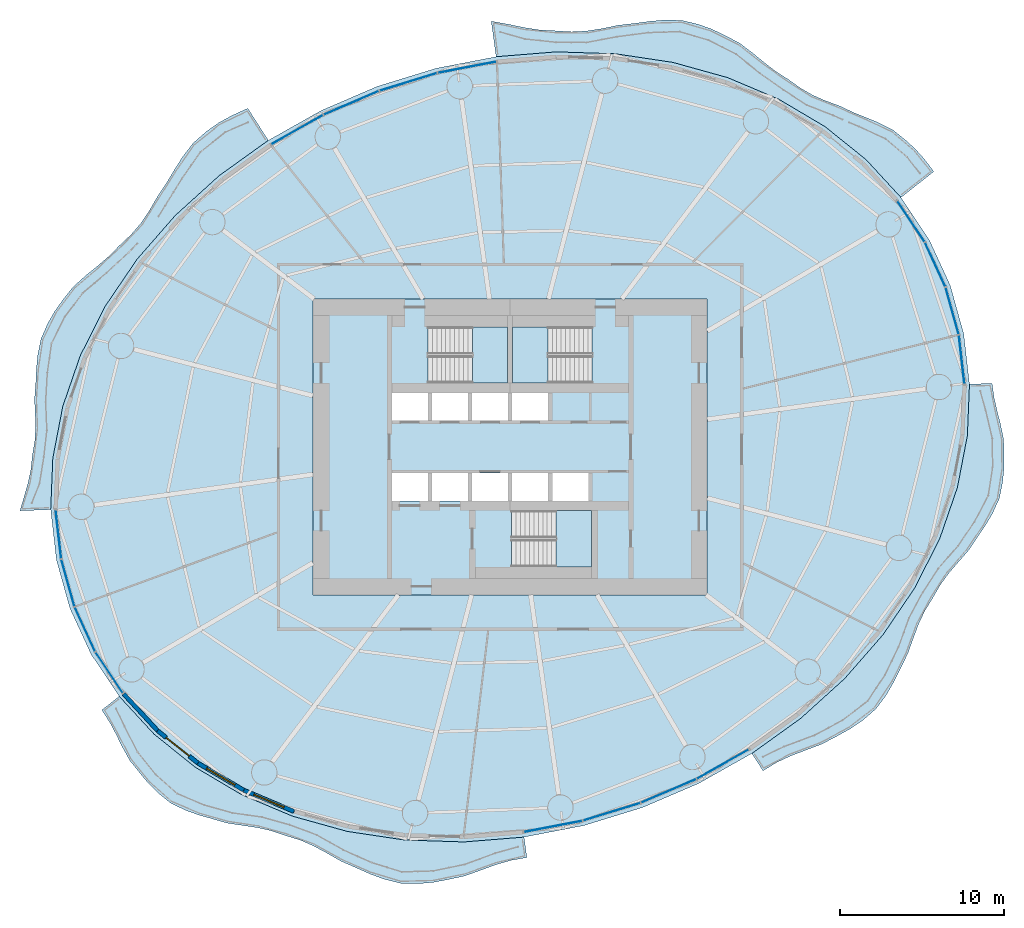
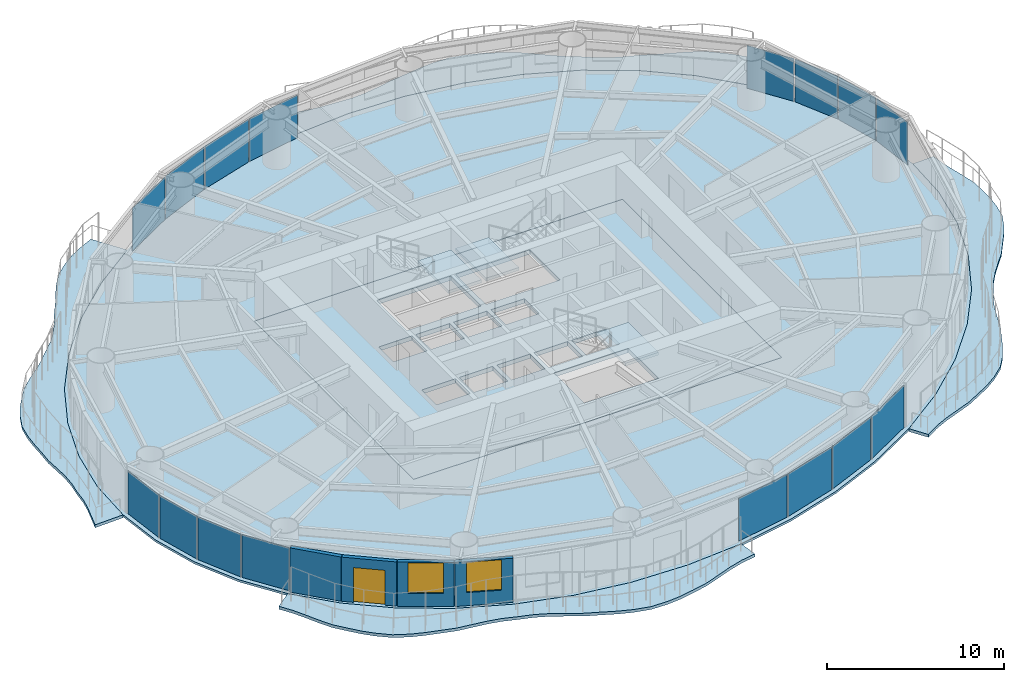
# One storey, part 7 of 16: 16 plates, 9 slabs, 4 walls, 2 windows, 1 door, 3 openings, 19 elements without a shape of their own.
"""IFC4 building model written with IfcOpenShell, lengths in metres."""

from ifc_helpers import new_model, si_unit, direction, frame, frame_2d, origin, origin_2d, place, context, subcontext, project, spatial, polyline, rectangle, outline, extrude, material, layer, layer_set, type_object, element, fill, aggregate, save


model = new_model("IFC4")

# Units and contexts
model_context = context("Model", 3, precision=1e-05, world=origin(), true_north=direction((0.0, 1.0)))
body_context = subcontext(model_context, "Body", "Model", "MODEL_VIEW")
ifc_project = project(units=[si_unit("LENGTHUNIT", "METRE"), si_unit("AREAUNIT", "SQUARE_METRE"), si_unit("VOLUMEUNIT", "CUBIC_METRE"), si_unit("PLANEANGLEUNIT", "RADIAN"), si_unit("MASSUNIT", "GRAM", prefix="KILO")], contexts=[model_context])

# Site, building, storey
site_placement = place(None, origin())
site = spatial("IfcSite", under=ifc_project, at=site_placement, CompositionType="ELEMENT")
building_placement = place(site_placement, origin())
building = spatial("IfcBuilding", under=site, at=building_placement, Name="Vermilion Reach Broadcast Tower", CompositionType="ELEMENT")
storey_placement = place(building_placement, frame((0.0, 0.0, 113.800048828125)))
storey = spatial("IfcBuildingStorey", under=building, at=storey_placement, Name="L26", CompositionType="ELEMENT", Elevation=113.800048828125)

# Slabs
ifc_material_1 = material(Name="Concrete C40/50", Category="concrete")
ifc_layer_1 = layer(ifc_material_1, 0.199951171875)
ifc_layer_set_1 = layer_set([ifc_layer_1], Name="Balcony slab 200")
slab_type_1 = type_object("IfcSlabType", Name="Balcony slab 200", PredefinedType="FLOOR", material=ifc_layer_set_1)
placement_1 = place(storey_placement, frame((0.0, 0.0, -0.199951171875)))
element("IfcSlab", 1, at=placement_1, inside=storey, type_object=slab_type_1, Name="Balcony slab L26 group 1", PredefinedType="FLOOR", context=body_context, shape_type="SweptSolid", body=[
    extrude(outline(polyline([(17.792724609375, 15.183349609375), (15.667724609375, 17.489013671875), (13.172119140625, 19.49560546875), (10.3486328125, 21.16845703125), (7.2451171875, 22.479248046875), (3.9150390625, 23.405517578125), (0.41552734375, 23.93115234375), (-3.19384765625, 24.04736328125), (-6.851318359375, 23.751953125), (-7.146484375, 25.91748046875), (-6.09033203125, 25.72607421875), (-5.154541015625, 25.531982421875), (-4.222412109375, 25.38720703125), (-3.22509765625, 25.331787109375), (-2.251220703125, 25.270263671875), (-1.346435546875, 25.317626953125), (-0.4384765625, 25.460205078125), (0.573486328125, 25.668212890625), (1.588623046875, 25.78564453125), (2.501953125, 25.90966796875), (3.408447265625, 25.98779296875), (4.461181640625, 25.965087890625), (5.45751953125, 25.726318359375), (6.273681640625, 25.435546875), (7.065673828125, 25.05859375), (7.9765625, 24.577392578125), (8.786376953125, 23.9638671875), (9.464111328125, 23.403564453125), (10.15380859375, 22.8720703125), (10.950439453125, 22.361572265625), (11.69482421875, 21.8310546875), (12.406494140625, 21.42236328125), (13.162109375, 21.088134765625), (14.0498046875, 20.76171875), (14.895751953125, 20.361572265625), (15.671142578125, 20.048583984375), (16.443115234375, 19.73095703125), (17.335205078125, 19.27294921875), (18.093505859375, 18.658447265625), (18.67529296875, 18.12841796875), (19.19775390625, 17.5439453125), (19.79541015625, 16.760986328125), (17.792724609375, 15.183349609375)])), origin(), (0.0, 0.0, 1.0), 0.199951171875),
])
element("IfcSlab", 2, at=placement_1, inside=storey, type_object=slab_type_1, Name="Balcony slab L26 group 2", PredefinedType="FLOOR", context=body_context, shape_type="SweptSolid", body=[
    extrude(outline(polyline([(-20.7197265625, 18.660400390625), (-23.699462890625, 16.51904296875), (-26.376220703125, 14.094970703125), (-28.704345703125, 11.4296875), (-30.64404296875, 8.56884765625), (-32.162109375, 5.561279296875), (-33.232421875, 2.458740234375), (-33.8369140625, -0.685791015625), (-33.96484375, -3.81884765625), (-35.833984375, -3.886962890625), (-35.568115234375, -2.96875), (-35.344482421875, -2.193359375), (-35.179443359375, -1.41552734375), (-35.084228515625, -0.541259765625), (-34.93798828125, 0.3408203125), (-34.889404296875, 1.146728515625), (-34.908447265625, 1.965576171875), (-34.95068359375, 2.917724609375), (-34.876953125, 3.89404296875), (-34.83544921875, 4.747802734375), (-34.7568359375, 5.588623046875), (-34.559326171875, 6.574462890625), (-34.14794921875, 7.50732421875), (-33.732421875, 8.240966796875), (-33.23828125, 8.934814453125), (-32.614990234375, 9.727783203125), (-31.840576171875, 10.424072265625), (-31.138916015625, 10.992431640625), (-30.45849609375, 11.574951171875), (-29.77978515625, 12.259033203125), (-29.0712890625, 12.925048828125), (-28.493896484375, 13.59521484375), (-27.9921875, 14.331787109375), (-27.494384765625, 15.193115234375), (-26.927734375, 16.048828125), (-26.4423828125, 16.85791015625), (-25.9423828125, 17.65087890625), (-25.2958984375, 18.4951171875), (-24.49462890625, 19.197265625), (-23.74609375, 19.7275390625), (-22.9345703125, 20.170166015625), (-21.96728515625, 20.6142578125), (-20.7197265625, 18.660400390625)])), origin(), (0.0, 0.0, 1.0), 0.199951171875),
])
element("IfcSlab", 3, at=placement_1, inside=storey, type_object=slab_type_1, Name="Balcony slab L26 group 3", PredefinedType="FLOOR", context=body_context, shape_type="SweptSolid", body=[
    extrude(outline(polyline([(-29.792724609375, -15.183349609375), (-27.667724609375, -17.489013671875), (-25.172119140625, -19.49560546875), (-22.3486328125, -21.16845703125), (-19.2451171875, -22.479248046875), (-15.9150390625, -23.405517578125), (-12.41552734375, -23.93115234375), (-8.80615234375, -24.04736328125), (-5.148681640625, -23.751953125), (-4.978759765625, -24.9990234375), (-5.954345703125, -25.17041015625), (-6.853759765625, -25.430908203125), (-7.747802734375, -25.756591796875), (-8.756103515625, -26.116943359375), (-9.783203125, -26.340087890625), (-10.69189453125, -26.509521484375), (-11.597900390625, -26.591796875), (-12.65478515625, -26.564453125), (-13.668212890625, -26.31494140625), (-14.515869140625, -26.002197265625), (-15.3544921875, -25.629638671875), (-16.301513671875, -25.216064453125), (-17.176513671875, -24.715576171875), (-17.955810546875, -24.292724609375), (-18.755615234375, -23.94384765625), (-19.658203125, -23.664306640625), (-20.53466796875, -23.36767578125), (-21.369384765625, -23.1796875), (-22.229248046875, -23.050537109375), (-23.223388671875, -22.902587890625), (-24.167724609375, -22.629150390625), (-24.98388671875, -22.39697265625), (-25.77099609375, -22.11572265625), (-26.6806640625, -21.672119140625), (-27.448486328125, -21.049072265625), (-28.017578125, -20.479248046875), (-28.541259765625, -19.85302734375), (-29.158203125, -19.08349609375), (-29.626708984375, -18.22802734375), (-29.985595703125, -17.492919921875), (-30.365234375, -16.77685546875), (-30.853759765625, -16.019287109375), (-29.792724609375, -15.183349609375)])), origin(), (0.0, 0.0, 1.0), 0.199951171875),
])
element("IfcSlab", 4, at=placement_1, inside=storey, type_object=slab_type_1, Name="Balcony slab L26 group 4", PredefinedType="FLOOR", context=body_context, shape_type="SweptSolid", body=[
    extrude(outline(polyline([(8.7197265625, -18.660400390625), (11.699462890625, -16.51904296875), (14.376220703125, -14.094970703125), (16.704345703125, -11.4296875), (18.64404296875, -8.56884765625), (20.162109375, -5.561279296875), (21.232421875, -2.458740234375), (21.8369140625, 0.685791015625), (21.96484375, 3.81884765625), (23.339599609375, 3.868896484375), (23.46875, 2.972900390625), (23.64990234375, 2.180908203125), (23.854248046875, 1.387939453125), (24.047607421875, 0.4296875), (24.06640625, -0.557861328125), (24.060302734375, -1.371826171875), (23.980224609375, -2.171630859375), (23.782470703125, -3.139892578125), (23.36181640625, -4.061279296875), (22.93212890625, -4.781005859375), (22.452880859375, -5.483642578125), (21.908935546875, -6.299560546875), (21.25146484375, -7.0546875), (20.68798828125, -7.713623046875), (20.185302734375, -8.4033203125), (19.723876953125, -9.203857421875), (19.230712890625, -10.010498046875), (18.85888671875, -10.802490234375), (18.547119140625, -11.63525390625), (18.20654296875, -12.588134765625), (17.74951171875, -13.517333984375), (17.344970703125, -14.338623046875), (16.89111328125, -15.116943359375), (16.26708984375, -15.9521484375), (15.466552734375, -16.64404296875), (14.7119140625, -17.155517578125), (13.9013671875, -17.60546875), (12.971923828125, -18.093994140625), (11.97265625, -18.470947265625), (11.0849609375, -18.807861328125), (10.239013671875, -19.202392578125), (9.39453125, -19.717041015625), (8.7197265625, -18.660400390625)])), origin(), (0.0, 0.0, 1.0), 0.199951171875),
])
ifc_material_2 = material(Name="Concrete C40", Category="concrete")
ifc_layer_2 = layer(ifc_material_2, 0.300048828125)
ifc_layer_set_2 = layer_set([ifc_layer_2], Name="Core floor slab 300 mm Concrete C40")
slab_type_2 = type_object("IfcSlabType", Name="Core floor slab 300 mm Concrete C40", PredefinedType="FLOOR", material=ifc_layer_set_2)
slab_5_placement = place(storey_placement, frame((0.0, 0.0, -0.300048828125)))
element("IfcSlab", 5, at=slab_5_placement, inside=storey, type_object=slab_type_2, Name="L26 core floor", PredefinedType="FLOOR", context=body_context, shape_type="SweptSolid", body=[
    extrude(outline(polyline([(-18.0, -9.0), (6.0, -9.0), (6.0, 9.0), (-18.0, 9.0), (-18.0, -9.0)]), holes=[polyline([(-13.199951171875, 1.60009765625), (-11.00830078125, 1.60009765625), (-11.00830078125, 3.280029296875), (-13.199951171875, 3.280029296875), (-13.199951171875, 1.60009765625)]), polyline([(-10.75830078125, 1.60009765625), (-8.566650390625, 1.60009765625), (-8.566650390625, 3.280029296875), (-10.75830078125, 3.280029296875), (-10.75830078125, 1.60009765625)]), polyline([(-8.316650390625, 1.60009765625), (-6.125, 1.60009765625), (-6.125, 3.280029296875), (-8.316650390625, 3.280029296875), (-8.316650390625, 1.60009765625)]), polyline([(-5.875, 1.60009765625), (-3.683349609375, 1.60009765625), (-3.683349609375, 3.280029296875), (-5.875, 3.280029296875), (-5.875, 1.60009765625)]), polyline([(-13.199951171875, -3.280029296875), (-11.00830078125, -3.280029296875), (-11.00830078125, -1.60009765625), (-13.199951171875, -1.60009765625), (-13.199951171875, -3.280029296875)]), polyline([(-10.75830078125, -3.280029296875), (-8.566650390625, -3.280029296875), (-8.566650390625, -1.60009765625), (-10.75830078125, -1.60009765625), (-10.75830078125, -3.280029296875)]), polyline([(-8.316650390625, -3.280029296875), (-6.125, -3.280029296875), (-6.125, -1.60009765625), (-8.316650390625, -1.60009765625), (-8.316650390625, -3.280029296875)]), polyline([(-5.875, -3.280029296875), (-3.683349609375, -3.280029296875), (-3.683349609375, -1.60009765625), (-5.875, -1.60009765625), (-5.875, -3.280029296875)]), polyline([(-3.433349609375, -3.280029296875), (-1.24169921875, -3.280029296875), (-1.24169921875, -1.60009765625), (-3.433349609375, -1.60009765625), (-3.433349609375, -3.280029296875)]), polyline([(-10.999267578125, 3.8798828125), (-6.14990234375, 3.8798828125), (-6.14990234375, 7.300048828125), (-10.999267578125, 7.300048828125), (-10.999267578125, 3.8798828125)]), polyline([(-1.000732421875, 7.300048828125), (-5.85009765625, 7.300048828125), (-5.85009765625, 3.8798828125), (-1.000732421875, 3.8798828125), (-1.000732421875, 7.300048828125)]), polyline([(-5.8994140625, -7.300048828125), (-1.050048828125, -7.300048828125), (-1.050048828125, -3.8798828125), (-5.8994140625, -3.8798828125), (-5.8994140625, -7.300048828125)])]), origin(), (0.0, 0.0, 1.0), 0.300048828125),
])

# Stair, slab
ifc_material_3 = material(Name="Concrete C40", Category="concrete")
stair_type = type_object("IfcStairType", Name="Exit stair RC 22 risers 164 mm", PredefinedType="HALF_TURN_STAIR", material=ifc_material_3)
placement_2 = place(storey_placement, origin())
stair_1 = element("IfcStair", 6, at=placement_2, inside=storey, type_object=stair_type, Name="L26 Exit stair ST1", PredefinedType="HALF_TURN_STAIR")
ifc_material_4 = material(Name="Concrete C40", Category="concrete")
ifc_layer_3 = layer(ifc_material_4, 0.199951171875)
ifc_layer_set_3 = layer_set([ifc_layer_3], Name="Exit stair landing Concrete C40")
slab_type_3 = type_object("IfcSlabType", Name="Exit stair landing Concrete C40", PredefinedType="LANDING", material=ifc_layer_set_3)
placement_3 = place(storey_placement, frame((0.0, 0.0, 1.599853515625)))
slab_6 = element("IfcSlab", 7, at=placement_3, type_object=slab_type_3, Name="ST1 landing 1", PredefinedType="LANDING", context=body_context, shape_type="SweptSolid", body=[
    extrude(outline(polyline([(-8.300048828125, 3.8798828125), (-6.14990234375, 3.8798828125), (-6.14990234375, 7.300048828125), (-8.300048828125, 7.300048828125), (-8.300048828125, 3.8798828125)])), origin(), (0.0, 0.0, 1.0), 0.2001953125),
])
aggregate(stair_1, [slab_6])

stair_2 = element("IfcStair", 8, at=placement_2, inside=storey, type_object=stair_type, Name="L26 Exit stair ST2", PredefinedType="HALF_TURN_STAIR")
slab_7 = element("IfcSlab", 9, at=placement_3, type_object=slab_type_3, Name="ST2 landing 1", PredefinedType="LANDING", context=body_context, shape_type="SweptSolid", body=[
    extrude(outline(polyline([(-3.699951171875, 7.300048828125), (-5.85009765625, 7.300048828125), (-5.85009765625, 3.8798828125), (-3.699951171875, 3.8798828125), (-3.699951171875, 7.300048828125)])), origin(), (0.0, 0.0, 1.0), 0.2001953125),
])
aggregate(stair_2, [slab_7])

stair_3 = element("IfcStair", 10, at=placement_2, inside=storey, type_object=stair_type, Name="L26 Exit stair ST3", PredefinedType="HALF_TURN_STAIR")
slab_8 = element("IfcSlab", 11, at=placement_3, type_object=slab_type_3, Name="ST3 landing 1", PredefinedType="LANDING", context=body_context, shape_type="SweptSolid", body=[
    extrude(outline(polyline([(-3.199951171875, -7.300048828125), (-1.050048828125, -7.300048828125), (-1.050048828125, -3.8798828125), (-3.199951171875, -3.8798828125), (-3.199951171875, -7.300048828125)])), origin(), (0.0, 0.0, 1.0), 0.2001953125),
])
aggregate(stair_3, [slab_8])

# Slab
ifc_material_5 = material(Name="Concrete C40", Category="concrete")
ifc_layer_4 = layer(ifc_material_5, 0.14990234375)
ifc_layer_set_4 = layer_set([ifc_layer_4], Name="Floor slab Concrete C40 composite 150")
slab_type_4 = type_object("IfcSlabType", Name="Floor slab Concrete C40 composite 150", PredefinedType="FLOOR", material=ifc_layer_set_4)
slab_9_placement = place(storey_placement, frame((0.0, 0.0, -0.150146484375)))
element("IfcSlab", 12, at=slab_9_placement, inside=storey, type_object=slab_type_4, Name="Floor slab L26", PredefinedType="FLOOR", context=body_context, shape_type="SweptSolid", body=[
    extrude(outline(polyline([(20.791748046875, 9.836181640625), (19.510498046875, 12.61767578125), (17.792724609375, 15.183349609375), (15.667724609375, 17.489013671875), (13.172119140625, 19.49560546875), (10.3486328125, 21.16845703125), (7.2451171875, 22.479248046875), (3.9150390625, 23.405517578125), (0.41552734375, 23.93115234375), (-3.19384765625, 24.04736328125), (-6.851318359375, 23.751953125), (-10.494140625, 23.05029296875), (-14.060302734375, 21.954345703125), (-17.48828125, 20.482666015625), (-20.7197265625, 18.660400390625), (-23.699462890625, 16.51904296875), (-26.376220703125, 14.094970703125), (-28.704345703125, 11.4296875), (-30.64404296875, 8.56884765625), (-32.162109375, 5.561279296875), (-33.232421875, 2.458740234375), (-33.8369140625, -0.685791015625), (-33.96484375, -3.81884765625), (-33.614501953125, -6.886474609375), (-32.791748046875, -9.836181640625), (-31.510498046875, -12.61767578125), (-29.792724609375, -15.183349609375), (-27.667724609375, -17.489013671875), (-25.172119140625, -19.49560546875), (-22.3486328125, -21.16845703125), (-19.2451171875, -22.479248046875), (-15.9150390625, -23.405517578125), (-12.41552734375, -23.93115234375), (-8.80615234375, -24.04736328125), (-5.148681640625, -23.751953125), (-1.505859375, -23.05029296875), (2.060302734375, -21.954345703125), (5.48828125, -20.482666015625), (8.7197265625, -18.660400390625), (11.699462890625, -16.51904296875), (14.376220703125, -14.094970703125), (16.704345703125, -11.4296875), (18.64404296875, -8.56884765625), (20.162109375, -5.561279296875), (21.232421875, -2.458740234375), (21.8369140625, 0.685791015625), (21.96484375, 3.81884765625), (21.614501953125, 6.886474609375), (20.791748046875, 9.836181640625)]), holes=[polyline([(-18.0, -9.0), (6.0, -9.0), (6.0, 9.0), (-18.0, 9.0), (-18.0, -9.0)])]), origin(), (0.0, 0.0, 1.0), 0.150146484375),
])

# Curtain wall, plate
ifc_material_6 = material(Name="Low-e laminated clear glass in aluminium frame", Category="aluminium")
curtain_wall_type = type_object("IfcCurtainWallType", Name="Slot curtain wall", PredefinedType="NOTDEFINED", material=ifc_material_6)
curtain_wall_1 = element("IfcCurtainWall", 13, at=placement_2, inside=storey, type_object=curtain_wall_type, Name="Slot curtain wall L26 46", PredefinedType="NOTDEFINED")
ifc_material_7 = material(Name="Low-e laminated clear glass", Category="glass")
ifc_layer_5 = layer(ifc_material_7, 0.028076171875)
ifc_layer_set_5 = layer_set([ifc_layer_5], Name="Slot glass panel")
plate_type = type_object("IfcPlateType", Name="Slot glass panel", PredefinedType="CURTAIN_PANEL", material=ifc_layer_set_5)
plate_1_placement = place(storey_placement, frame((21.49267578125, 5.318603515625, 0.0), z_axis=(0.0, 0.0, 1.0), x_axis=(-0.113471625484, 0.993541237297, 0.0)))
plate_1 = element("IfcPlate", 14, at=plate_1_placement, type_object=plate_type, Name="Slot glass panel L26 46", PredefinedType="CURTAIN_PANEL", context=body_context, shape_type="SweptSolid", body=[
    extrude(rectangle(XDim=2.96044921875, YDim=0.028076171875, at=origin_2d()), origin(), (0.0, 0.0, 1.0), 2.949951171875),
])
aggregate(curtain_wall_1, [plate_1])

curtain_wall_2 = element("IfcCurtainWall", 15, at=placement_2, inside=storey, type_object=curtain_wall_type, Name="Slot curtain wall L26 47", PredefinedType="NOTDEFINED")
plate_2_placement = place(storey_placement, frame((20.9150390625, 8.281005859375, 0.0), z_axis=(0.0, 0.0, 1.0), x_axis=(-0.26869748154, 0.963224617321, 0.0)))
plate_2 = element("IfcPlate", 16, at=plate_2_placement, type_object=plate_type, Name="Slot glass panel L26 47", PredefinedType="CURTAIN_PANEL", context=body_context, shape_type="SweptSolid", body=[
    extrude(rectangle(XDim=2.9345703125, YDim=0.028076171875, at=origin_2d()), origin(), (0.0, 0.0, 1.0), 2.949951171875),
])
aggregate(curtain_wall_2, [plate_2])

curtain_wall_3 = element("IfcCurtainWall", 17, at=placement_2, inside=storey, type_object=curtain_wall_type, Name="Slot curtain wall L26 00", PredefinedType="NOTDEFINED")
plate_3_placement = place(storey_placement, frame((19.87939453125, 11.101806640625, 0.0), z_axis=(0.0, 0.0, 1.0), x_axis=(-0.418393848218, 0.90826570329, 0.0)))
plate_3 = element("IfcPlate", 18, at=plate_3_placement, type_object=plate_type, Name="Slot glass panel L26 00", PredefinedType="CURTAIN_PANEL", context=body_context, shape_type="SweptSolid", body=[
    extrude(rectangle(XDim=2.9345703125, YDim=0.028076171875, at=origin_2d()), origin(), (0.0, 0.0, 1.0), 2.949951171875),
])
aggregate(curtain_wall_3, [plate_3])

curtain_wall_4 = element("IfcCurtainWall", 19, at=placement_2, inside=storey, type_object=curtain_wall_type, Name="Slot curtain wall L26 01", PredefinedType="NOTDEFINED")
plate_4_placement = place(storey_placement, frame((18.403076171875, 13.734130859375, 0.0), z_axis=(0.0, 0.0, 1.0), x_axis=(-0.556361305428, 0.83094048994, 0.0)))
plate_4 = element("IfcPlate", 20, at=plate_4_placement, type_object=plate_type, Name="Slot glass panel L26 01", PredefinedType="CURTAIN_PANEL", context=body_context, shape_type="SweptSolid", body=[
    extrude(rectangle(XDim=2.96044921875, YDim=0.028076171875, at=origin_2d()), origin(), (0.0, 0.0, 1.0), 2.949951171875),
])
aggregate(curtain_wall_4, [plate_4])

curtain_wall_5 = element("IfcCurtainWall", 21, at=placement_2, inside=storey, type_object=curtain_wall_type, Name="Slot curtain wall L26 10", PredefinedType="NOTDEFINED")
plate_5_placement = place(storey_placement, frame((-8.6162109375, 23.10693359375, 0.0), z_axis=(0.0, 0.0, 1.0), x_axis=(-0.98195062877, -0.189137417395, 0.0)))
plate_5 = element("IfcPlate", 22, at=plate_5_placement, type_object=plate_type, Name="Slot glass panel L26 10", PredefinedType="CURTAIN_PANEL", context=body_context, shape_type="SweptSolid", body=[
    extrude(rectangle(XDim=3.59716796875, YDim=0.028076171875, at=origin_2d()), origin(), (0.0, 0.0, 1.0), 2.949951171875),
])
aggregate(curtain_wall_5, [plate_5])

curtain_wall_6 = element("IfcCurtainWall", 23, at=placement_2, inside=storey, type_object=curtain_wall_type, Name="Slot curtain wall L26 11", PredefinedType="NOTDEFINED")
plate_6_placement = place(storey_placement, frame((-12.189208984375, 22.216064453125, 0.0), z_axis=(0.0, 0.0, 1.0), x_axis=(-0.955866507584, -0.293801326884, 0.0)))
plate_6 = element("IfcPlate", 24, at=plate_6_placement, type_object=plate_type, Name="Slot glass panel L26 11", PredefinedType="CURTAIN_PANEL", context=body_context, shape_type="SweptSolid", body=[
    extrude(rectangle(XDim=3.618408203125, YDim=0.028076171875, at=origin_2d()), origin(), (0.0, 0.0, 1.0), 2.949951171875),
])
aggregate(curtain_wall_6, [plate_6])

curtain_wall_7 = element("IfcCurtainWall", 25, at=placement_2, inside=storey, type_object=curtain_wall_type, Name="Slot curtain wall L26 12", PredefinedType="NOTDEFINED")
plate_7_placement = place(storey_placement, frame((-15.656005859375, 20.943115234375, 0.0), z_axis=(0.0, 0.0, 1.0), x_axis=(-0.918899152992, -0.394492517838, 0.0)))
plate_7 = element("IfcPlate", 26, at=plate_7_placement, type_object=plate_type, Name="Slot glass panel L26 12", PredefinedType="CURTAIN_PANEL", context=body_context, shape_type="SweptSolid", body=[
    extrude(rectangle(XDim=3.618408203125, YDim=0.028076171875, at=origin_2d()), origin(), (0.0, 0.0, 1.0), 2.949951171875),
])
aggregate(curtain_wall_7, [plate_7])

curtain_wall_8 = element("IfcCurtainWall", 27, at=placement_2, inside=storey, type_object=curtain_wall_type, Name="Slot curtain wall L26 13", PredefinedType="NOTDEFINED")
plate_8_placement = place(storey_placement, frame((-18.956787109375, 19.310546875, 0.0), z_axis=(0.0, 0.0, 1.0), x_axis=(-0.871063451357, -0.491170503706, 0.0)))
plate_8 = element("IfcPlate", 28, at=plate_8_placement, type_object=plate_type, Name="Slot glass panel L26 13", PredefinedType="CURTAIN_PANEL", context=body_context, shape_type="SweptSolid", body=[
    extrude(rectangle(XDim=3.59716796875, YDim=0.028076171875, at=origin_2d()), origin(), (0.0, 0.0, 1.0), 2.949951171875),
])
aggregate(curtain_wall_8, [plate_8])

curtain_wall_9 = element("IfcCurtainWall", 29, at=placement_2, inside=storey, type_object=curtain_wall_type, Name="Slot curtain wall L26 22", PredefinedType="NOTDEFINED")
plate_9_placement = place(storey_placement, frame((-33.49267578125, -5.318603515625, 0.0), z_axis=(0.0, 0.0, 1.0), x_axis=(0.113471625484, -0.993541237297, 0.0)))
plate_9 = element("IfcPlate", 30, at=plate_9_placement, type_object=plate_type, Name="Slot glass panel L26 22", PredefinedType="CURTAIN_PANEL", context=body_context, shape_type="SweptSolid", body=[
    extrude(rectangle(XDim=2.96044921875, YDim=0.028076171875, at=origin_2d()), origin(), (0.0, 0.0, 1.0), 2.949951171875),
])
aggregate(curtain_wall_9, [plate_9])

curtain_wall_10 = element("IfcCurtainWall", 31, at=placement_2, inside=storey, type_object=curtain_wall_type, Name="Slot curtain wall L26 23", PredefinedType="NOTDEFINED")
plate_10_placement = place(storey_placement, frame((-32.9150390625, -8.281005859375, 0.0), z_axis=(0.0, 0.0, 1.0), x_axis=(0.26869748154, -0.963224617321, 0.0)))
plate_10 = element("IfcPlate", 32, at=plate_10_placement, type_object=plate_type, Name="Slot glass panel L26 23", PredefinedType="CURTAIN_PANEL", context=body_context, shape_type="SweptSolid", body=[
    extrude(rectangle(XDim=2.9345703125, YDim=0.028076171875, at=origin_2d()), origin(), (0.0, 0.0, 1.0), 2.949951171875),
])
aggregate(curtain_wall_10, [plate_10])

curtain_wall_11 = element("IfcCurtainWall", 33, at=placement_2, inside=storey, type_object=curtain_wall_type, Name="Slot curtain wall L26 24", PredefinedType="NOTDEFINED")
plate_11_placement = place(storey_placement, frame((-31.87939453125, -11.101806640625, 0.0), z_axis=(0.0, 0.0, 1.0), x_axis=(0.418393848218, -0.90826570329, 0.0)))
plate_11 = element("IfcPlate", 34, at=plate_11_placement, type_object=plate_type, Name="Slot glass panel L26 24", PredefinedType="CURTAIN_PANEL", context=body_context, shape_type="SweptSolid", body=[
    extrude(rectangle(XDim=2.9345703125, YDim=0.028076171875, at=origin_2d()), origin(), (0.0, 0.0, 1.0), 2.949951171875),
])
aggregate(curtain_wall_11, [plate_11])

curtain_wall_12 = element("IfcCurtainWall", 35, at=placement_2, inside=storey, type_object=curtain_wall_type, Name="Slot curtain wall L26 25", PredefinedType="NOTDEFINED")
plate_12_placement = place(storey_placement, frame((-30.403076171875, -13.734130859375, 0.0), z_axis=(0.0, 0.0, 1.0), x_axis=(0.556361305428, -0.83094048994, 0.0)))
plate_12 = element("IfcPlate", 36, at=plate_12_placement, type_object=plate_type, Name="Slot glass panel L26 25", PredefinedType="CURTAIN_PANEL", context=body_context, shape_type="SweptSolid", body=[
    extrude(rectangle(XDim=2.96044921875, YDim=0.028076171875, at=origin_2d()), origin(), (0.0, 0.0, 1.0), 2.949951171875),
])
aggregate(curtain_wall_12, [plate_12])

curtain_wall_13 = element("IfcCurtainWall", 37, at=placement_2, inside=storey, type_object=curtain_wall_type, Name="Slot curtain wall L26 34", PredefinedType="NOTDEFINED")
plate_13_placement = place(storey_placement, frame((-3.3837890625, -23.10693359375, 0.0), z_axis=(0.0, 0.0, 1.0), x_axis=(0.98195062877, 0.189137417395, 0.0)))
plate_13 = element("IfcPlate", 38, at=plate_13_placement, type_object=plate_type, Name="Slot glass panel L26 34", PredefinedType="CURTAIN_PANEL", context=body_context, shape_type="SweptSolid", body=[
    extrude(rectangle(XDim=3.59716796875, YDim=0.028076171875, at=origin_2d()), origin(), (0.0, 0.0, 1.0), 2.949951171875),
])
aggregate(curtain_wall_13, [plate_13])

curtain_wall_14 = element("IfcCurtainWall", 39, at=placement_2, inside=storey, type_object=curtain_wall_type, Name="Slot curtain wall L26 35", PredefinedType="NOTDEFINED")
plate_14_placement = place(storey_placement, frame((0.189208984375, -22.216064453125, 0.0), z_axis=(0.0, 0.0, 1.0), x_axis=(0.955866507584, 0.293801326884, 0.0)))
plate_14 = element("IfcPlate", 40, at=plate_14_placement, type_object=plate_type, Name="Slot glass panel L26 35", PredefinedType="CURTAIN_PANEL", context=body_context, shape_type="SweptSolid", body=[
    extrude(rectangle(XDim=3.618408203125, YDim=0.028076171875, at=origin_2d()), origin(), (0.0, 0.0, 1.0), 2.949951171875),
])
aggregate(curtain_wall_14, [plate_14])

curtain_wall_15 = element("IfcCurtainWall", 41, at=placement_2, inside=storey, type_object=curtain_wall_type, Name="Slot curtain wall L26 36", PredefinedType="NOTDEFINED")
plate_15_placement = place(storey_placement, frame((3.656005859375, -20.943115234375, 0.0), z_axis=(0.0, 0.0, 1.0), x_axis=(0.918899152992, 0.394492517838, 0.0)))
plate_15 = element("IfcPlate", 42, at=plate_15_placement, type_object=plate_type, Name="Slot glass panel L26 36", PredefinedType="CURTAIN_PANEL", context=body_context, shape_type="SweptSolid", body=[
    extrude(rectangle(XDim=3.618408203125, YDim=0.028076171875, at=origin_2d()), origin(), (0.0, 0.0, 1.0), 2.949951171875),
])
aggregate(curtain_wall_15, [plate_15])

curtain_wall_16 = element("IfcCurtainWall", 43, at=placement_2, inside=storey, type_object=curtain_wall_type, Name="Slot curtain wall L26 37", PredefinedType="NOTDEFINED")
plate_16_placement = place(storey_placement, frame((6.956787109375, -19.310546875, 0.0), z_axis=(0.0, 0.0, 1.0), x_axis=(0.871063451357, 0.491170503706, 0.0)))
plate_16 = element("IfcPlate", 44, at=plate_16_placement, type_object=plate_type, Name="Slot glass panel L26 37", PredefinedType="CURTAIN_PANEL", context=body_context, shape_type="SweptSolid", body=[
    extrude(rectangle(XDim=3.59716796875, YDim=0.028076171875, at=origin_2d()), origin(), (0.0, 0.0, 1.0), 2.949951171875),
])
aggregate(curtain_wall_16, [plate_16])

# Wall
ifc_material_8 = material(Name="Terracotta rainscreen cladding", Category="masonry")
ifc_layer_6 = layer(ifc_material_8, 0.25)
ifc_layer_set_6 = layer_set([ifc_layer_6], Name="Terracotta rainscreen wall 250")
wall_type = type_object("IfcWallType", Name="Terracotta rainscreen wall 250", PredefinedType="SOLIDWALL", material=ifc_layer_set_6)
wall_1_placement = place(storey_placement, frame((-29.519775390625, -15.037841796875, 0.0), z_axis=(0.0, 0.0, 1.0), x_axis=(0.677632184293, -0.735400994567, 0.0)))
element("IfcWall", 45, at=wall_1_placement, inside=storey, type_object=wall_type, Name="External wall L26 26", PredefinedType="SOLIDWALL", context=body_context, shape_type="SweptSolid", body=[
    extrude(rectangle(XDim=3.021728515625, YDim=0.25, at=frame_2d((1.5107421875, 0.0))), origin(), (0.0, 0.0, 1.0), 3.050048828125),
])

# Wall, opening, door
wall_2_placement = place(storey_placement, frame((-27.45263671875, -17.278076171875, 0.0), z_axis=(0.0, 0.0, 1.0), x_axis=(0.779353281229, -0.626584761256, 0.0)))
wall_2 = element("IfcWall", 46, at=wall_2_placement, inside=storey, type_object=wall_type, Name="External wall L26 27", PredefinedType="SOLIDWALL", context=body_context, shape_type="SweptSolid", body=[
    extrude(rectangle(XDim=3.13232421875, YDim=0.25, at=frame_2d((1.566162109375, 0.0))), origin(), (0.0, 0.0, 1.0), 3.050048828125),
])
opening_1_placement = place(wall_2_placement, frame((0.666015625, 0.0, 0.0)))
opening_1 = element("IfcOpeningElement", 47, at=opening_1_placement, cuts=wall_2, Name="Opening D70", PredefinedType="OPENING", context=body_context, shape_type="SweptSolid", body=[
    extrude(rectangle(XDim=1.800048828125, YDim=2.39990234375, at=frame_2d((0.89990234375, 1.199951171875))), frame((0.0, 0.135009765625, 0.0), z_axis=(0.0, -1.0, 0.0), x_axis=(1.0, 0.0, 0.0)), (0.0, 0.0, 1.0), 0.27001953125),
])
ifc_material_9 = material(Name="Low-e laminated clear glass in aluminium frame", Category="aluminium")
door_type = type_object("IfcDoorType", Name="Balcony sliding door 1800 x 2400", OperationType="DOUBLE_DOOR_SLIDING", PredefinedType="DOOR", material=ifc_material_9)
door_placement = place(opening_1_placement, origin())
door = element("IfcDoor", 48, at=door_placement, inside=storey, type_object=door_type, Name="Balcony door L26 run 07", OperationType="DOUBLE_DOOR_SLIDING", OverallHeight=2.39990234375, OverallWidth=1.800048828125, PredefinedType="DOOR", context=body_context, shape_type="SweptSolid", body=[
    extrude(rectangle(XDim=1.800048828125, YDim=2.39990234375, at=frame_2d((0.89990234375, 1.199951171875))), frame((0.0, 0.02490234375, 0.0), z_axis=(0.0, -1.0, 0.0), x_axis=(1.0, 0.0, 0.0)), (0.0, 0.0, 1.0), 0.050048828125),
])
fill(opening_1, door)

# Wall, opening, window
wall_3_placement = place(storey_placement, frame((-24.990478515625, -19.25537109375, 0.0), z_axis=(0.0, 0.0, 1.0), x_axis=(0.860327301237, -0.509742027644, 0.0)))
wall_3 = element("IfcWall", 49, at=wall_3_placement, inside=storey, type_object=wall_type, Name="External wall L26 28", PredefinedType="SOLIDWALL", context=body_context, shape_type="SweptSolid", body=[
    extrude(rectangle(XDim=3.215087890625, YDim=0.25, at=frame_2d((1.607421875, 0.0))), origin(), (0.0, 0.0, 1.0), 3.050048828125),
])
opening_2_placement = place(wall_3_placement, frame((0.607421875, 0.0, 0.89990234375)))
opening_2 = element("IfcOpeningElement", 50, at=opening_2_placement, cuts=wall_3, Name="Opening W03", PredefinedType="OPENING", context=body_context, shape_type="SweptSolid", body=[
    extrude(rectangle(XDim=2.0, YDim=2.10009765625, at=frame_2d((1.0, 1.050048828125))), frame((0.0, 0.135009765625, 0.0), z_axis=(0.0, -1.0, 0.0), x_axis=(1.0, 0.0, 0.0)), (0.0, 0.0, 1.0), 0.27001953125),
])
ifc_material_10 = material(Name="Low-e laminated clear glass in aluminium frame", Category="aluminium")
window_type = type_object("IfcWindowType", Name="Punched window 2000 x 2100 sill 900", PartitioningType="SINGLE_PANEL", PredefinedType="WINDOW", material=ifc_material_10)
window_1_placement = place(opening_2_placement, origin())
window_1 = element("IfcWindow", 51, at=window_1_placement, inside=storey, type_object=window_type, Name="Window L26 28", OverallHeight=2.10009765625, OverallWidth=2.0, PartitioningType="SINGLE_PANEL", PredefinedType="WINDOW", context=body_context, shape_type="SweptSolid", body=[
    extrude(rectangle(XDim=2.0, YDim=2.10009765625, at=frame_2d((1.0, 1.050048828125))), frame((0.0, 0.030029296875, 0.0), z_axis=(0.0, -1.0, 0.0), x_axis=(1.0, 0.0, 0.0)), (0.0, 0.0, 1.0), 0.06005859375),
])
fill(opening_2, window_1)

wall_4_placement = place(storey_placement, frame((-22.2021484375, -20.905517578125, 0.0), z_axis=(0.0, 0.0, 1.0), x_axis=(0.921226028589, -0.389027767967, 0.0)))
wall_4 = element("IfcWall", 52, at=wall_4_placement, inside=storey, type_object=wall_type, Name="External wall L26 29", PredefinedType="SOLIDWALL", context=body_context, shape_type="SweptSolid", body=[
    extrude(rectangle(XDim=3.3046875, YDim=0.25, at=frame_2d((1.65234375, 0.0))), origin(), (0.0, 0.0, 1.0), 3.050048828125),
])
opening_3_placement = place(wall_4_placement, frame((0.65234375, 0.0, 0.89990234375)))
opening_3 = element("IfcOpeningElement", 53, at=opening_3_placement, cuts=wall_4, Name="Opening W03", PredefinedType="OPENING", context=body_context, shape_type="SweptSolid", body=[
    extrude(rectangle(XDim=2.0, YDim=2.10009765625, at=frame_2d((1.0, 1.050048828125))), frame((0.0, 0.135009765625, 0.0), z_axis=(0.0, -1.0, 0.0), x_axis=(1.0, 0.0, 0.0)), (0.0, 0.0, 1.0), 0.27001953125),
])
window_2_placement = place(opening_3_placement, origin())
window_2 = element("IfcWindow", 54, at=window_2_placement, inside=storey, type_object=window_type, Name="Window L26 29", OverallHeight=2.10009765625, OverallWidth=2.0, PartitioningType="SINGLE_PANEL", PredefinedType="WINDOW", context=body_context, shape_type="SweptSolid", body=[
    extrude(rectangle(XDim=2.0, YDim=2.10009765625, at=frame_2d((1.0, 1.050048828125))), frame((0.0, 0.030029296875, 0.0), z_axis=(0.0, -1.0, 0.0), x_axis=(1.0, 0.0, 0.0)), (0.0, 0.0, 1.0), 0.06005859375),
])
fill(opening_3, window_2)

save(model, "model.ifc")
